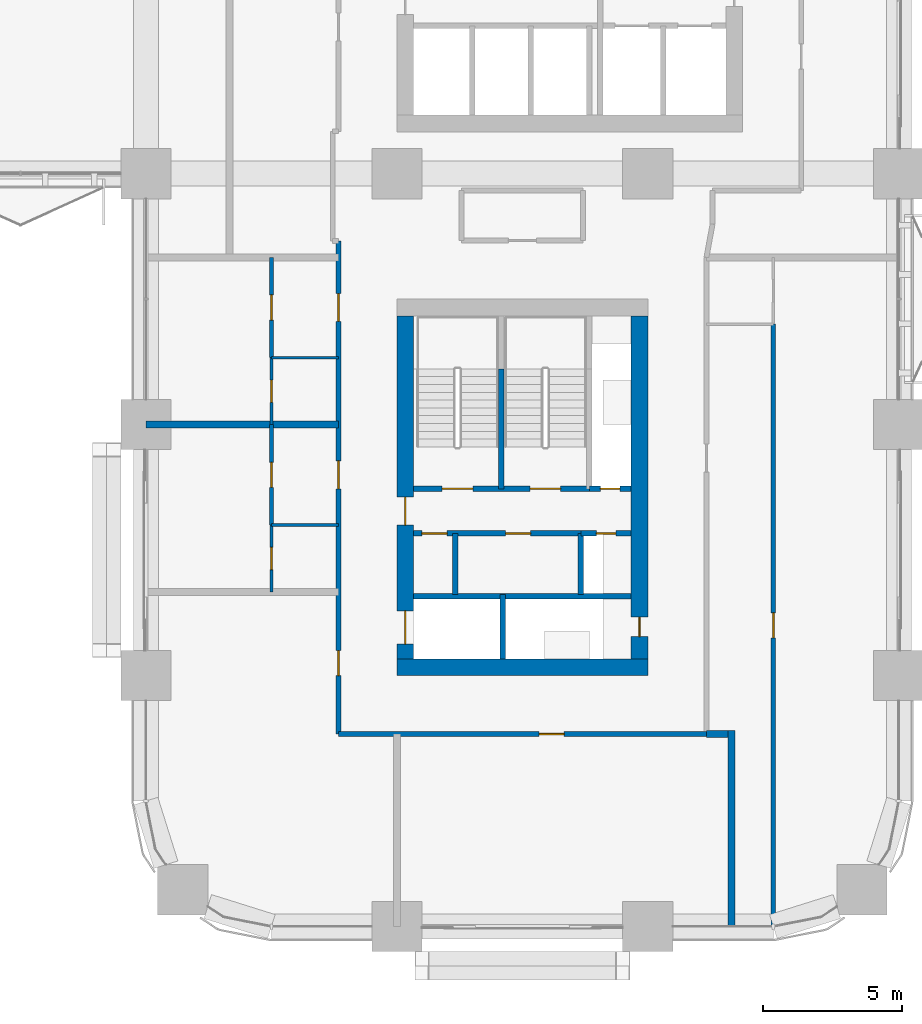
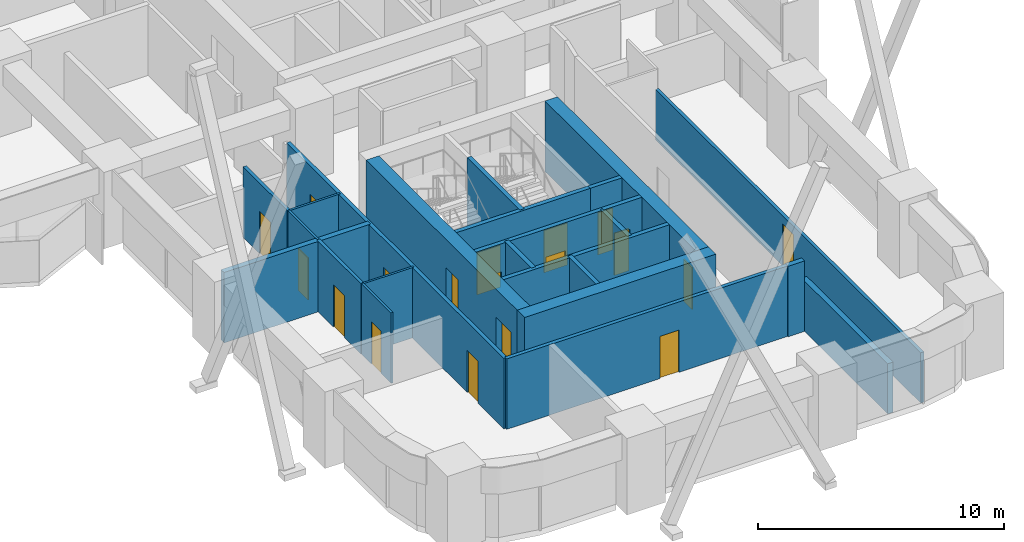
# One storey, part 13 of 19: 24 walls, 18 doors, 18 openings.
"""IFC4 building model written with IfcOpenShell, lengths in metres."""

from ifc_helpers import new_model, si_unit, direction, frame, frame_2d, origin, place, context, subcontext, project, spatial, rectangle, extrude, material, layer, layer_set, type_object, element, fill, save


model = new_model("IFC4")

# Units and contexts
model_context = context("Model", 3, precision=1e-05, world=origin(), true_north=direction((0.0, 1.0)))
body_context = subcontext(model_context, "Body", "Model", "MODEL_VIEW")
ifc_project = project(units=[si_unit("LENGTHUNIT", "METRE"), si_unit("AREAUNIT", "SQUARE_METRE"), si_unit("VOLUMEUNIT", "CUBIC_METRE"), si_unit("PLANEANGLEUNIT", "RADIAN"), si_unit("MASSUNIT", "GRAM", prefix="KILO")], contexts=[model_context])

# Site, building, storey
site_placement = place(None, origin())
site = spatial("IfcSite", under=ifc_project, at=site_placement, CompositionType="ELEMENT")
building_placement = place(site_placement, origin())
building = spatial("IfcBuilding", under=site, at=building_placement, Name="Tessera Arch", CompositionType="ELEMENT")
storey_placement = place(building_placement, frame((0.0, 0.0, 93.0)))
storey = spatial("IfcBuildingStorey", under=building, at=storey_placement, Name="L21", CompositionType="ELEMENT", Elevation=93.0)

# Wall
ifc_material_1 = material(Name="Gypsum board on steel stud", Category="steel")
ifc_layer_1 = layer(ifc_material_1, 0.125)
ifc_layer_set_1 = layer_set([ifc_layer_1], Name="Core partition 125 EI 60")
wall_type_1 = type_object("IfcWallType", Name="Core partition 125 EI 60", PredefinedType="PARTITIONING", material=ifc_layer_set_1)
wall_1_placement = place(storey_placement, frame((38.10009765625, 11.89990234375, 0.0), z_axis=(0.0, 0.0, 1.0), x_axis=(0.0, 1.0, 0.0)))
element("IfcWall", 1, at=wall_1_placement, inside=storey, type_object=wall_type_1, Name="L21 C3 partition wall 1", PredefinedType="PARTITIONING", context=body_context, shape_type="SweptSolid", body=[
    extrude(rectangle(XDim=2.2001953125, YDim=0.199951171875, at=frame_2d((1.10009765625, 0.0))), origin(), (0.0, 0.0, 1.0), 3.5),
])

# Wall, openings, doors
wall_2_placement = place(storey_placement, frame((36.60009765625, 14.10009765625, 0.0), z_axis=(0.0, 0.0, 1.0), x_axis=(1.0, 0.0, 0.0)))
wall_2 = element("IfcWall", 2, at=wall_2_placement, inside=storey, type_object=wall_type_1, Name="L21 C3 partition wall 9", PredefinedType="PARTITIONING", context=body_context, shape_type="SweptSolid", body=[
    extrude(rectangle(XDim=6.0, YDim=0.199951171875, at=frame_2d((3.0, 0.0))), origin(), (0.0, 0.0, 1.0), 3.5),
])
opening_1_placement = place(wall_2_placement, frame((0.300048828125, 0.0, 0.0)))
opening_1 = element("IfcOpeningElement", 3, at=opening_1_placement, cuts=wall_2, Name="Opening L21-C38", PredefinedType="OPENING", context=body_context, shape_type="SweptSolid", body=[
    extrude(rectangle(XDim=0.89990234375, YDim=2.10009765625, at=frame_2d((0.449951171875, 1.050048828125))), frame((0.0, 0.10986328125, 0.0), z_axis=(0.0, -1.0, 0.0), x_axis=(1.0, 0.0, 0.0)), (0.0, 0.0, 1.0), 0.219970703125),
])
opening_2_placement = place(wall_2_placement, frame((3.300048828125, 0.0, 0.0)))
opening_2 = element("IfcOpeningElement", 4, at=opening_2_placement, cuts=wall_2, Name="Opening L21-C39", PredefinedType="OPENING", context=body_context, shape_type="SweptSolid", body=[
    extrude(rectangle(XDim=0.89990234375, YDim=2.10009765625, at=frame_2d((0.449951171875, 1.050048828125))), frame((0.0, 0.10986328125, 0.0), z_axis=(0.0, -1.0, 0.0), x_axis=(1.0, 0.0, 0.0)), (0.0, 0.0, 1.0), 0.219970703125),
])
ifc_material_2 = material(Name="Steel door leaf", Category="steel")
door_type_1 = type_object("IfcDoorType", Name="Store door FD30S 900 x 2100", OperationType="SINGLE_SWING_LEFT", PredefinedType="DOOR", material=ifc_material_2)
door_1_placement = place(opening_1_placement, origin())
door_1 = element("IfcDoor", 5, at=door_1_placement, inside=storey, type_object=door_type_1, Name="L21 C3 door 8 C38 type D09", OperationType="SINGLE_SWING_LEFT", OverallHeight=2.10009765625, OverallWidth=0.89990234375, PredefinedType="DOOR", context=body_context, shape_type="SweptSolid", body=[
    extrude(rectangle(XDim=0.89990234375, YDim=2.10009765625, at=frame_2d((0.449951171875, 1.050048828125))), frame((0.0, 0.02490234375, 0.0), z_axis=(0.0, -1.0, 0.0), x_axis=(1.0, 0.0, 0.0)), (0.0, 0.0, 1.0), 0.050048828125),
])
fill(opening_1, door_1)
door_2_placement = place(opening_2_placement, origin())
door_2 = element("IfcDoor", 6, at=door_2_placement, inside=storey, type_object=door_type_1, Name="L21 C3 door 9 C39 type D09", OperationType="SINGLE_SWING_RIGHT", OverallHeight=2.10009765625, OverallWidth=0.89990234375, PredefinedType="DOOR", context=body_context, shape_type="SweptSolid", body=[
    extrude(rectangle(XDim=0.89990234375, YDim=2.10009765625, at=frame_2d((0.449951171875, 1.050048828125))), frame((0.0, 0.02490234375, 0.0), z_axis=(0.0, -1.0, 0.0), x_axis=(1.0, 0.0, 0.0)), (0.0, 0.0, 1.0), 0.050048828125),
])
fill(opening_2, door_2)

# Wall
ifc_material_3 = material(Name="Concrete C70/85", Category="concrete")
ifc_layer_2 = layer(ifc_material_3, 0.60009765625)
ifc_layer_set_2 = layer_set([ifc_layer_2], Name="Core shell wall 600 C70-85")
wall_type_2 = type_object("IfcWallType", Name="Core shell wall 600 C70-85", PredefinedType="SHEAR", material=ifc_layer_set_2)
wall_3_placement = place(storey_placement, frame((36.0, 9.300048828125, 0.0), z_axis=(0.0, 0.0, 1.0), x_axis=(1.0, 0.0, 0.0)))
element("IfcWall", 7, at=wall_3_placement, inside=storey, type_object=wall_type_2, Name="L21 C3 core wall S", PredefinedType="SHEAR", context=body_context, shape_type="SweptSolid", body=[
    extrude(rectangle(XDim=9.0, YDim=0.60009765625, at=frame_2d((4.5, 0.0))), origin(), (0.0, 0.0, 1.0), 3.5),
])

# Wall, openings, doors
wall_4_placement = place(storey_placement, frame((36.300048828125, 9.60009765625, 0.0), z_axis=(0.0, 0.0, 1.0), x_axis=(0.0, 1.0, 0.0)))
wall_4 = element("IfcWall", 8, at=wall_4_placement, inside=storey, type_object=wall_type_2, Name="L21 C3 core wall W", PredefinedType="SHEAR", context=body_context, shape_type="SweptSolid", body=[
    extrude(rectangle(XDim=12.2998046875, YDim=0.60009765625, at=frame_2d((6.14990234375, 0.0))), origin(), (0.0, 0.0, 1.0), 3.5),
])
opening_3_placement = place(wall_4_placement, frame((0.52490234375, 0.0, 0.0)))
opening_3 = element("IfcOpeningElement", 9, at=opening_3_placement, cuts=wall_4, Name="Opening L21-C31", PredefinedType="OPENING", context=body_context, shape_type="SweptSolid", body=[
    extrude(rectangle(XDim=1.199951171875, YDim=2.10009765625, at=frame_2d((0.60009765625, 1.050048828125))), frame((0.0, 0.31005859375, 0.0), z_axis=(0.0, -1.0, 0.0), x_axis=(1.0, 0.0, 0.0)), (0.0, 0.0, 1.0), 0.6201171875),
])
opening_4_placement = place(wall_4_placement, frame((4.800048828125, 0.0, 0.0)))
opening_4 = element("IfcOpeningElement", 10, at=opening_4_placement, cuts=wall_4, Name="Opening L21-C37", PredefinedType="OPENING", context=body_context, shape_type="SweptSolid", body=[
    extrude(rectangle(XDim=1.0, YDim=2.10009765625, at=frame_2d((0.5, 1.050048828125))), frame((0.0, 0.31005859375, 0.0), z_axis=(0.0, -1.0, 0.0), x_axis=(1.0, 0.0, 0.0)), (0.0, 0.0, 1.0), 0.6201171875),
])
ifc_material_4 = material(Name="Steel door leaf", Category="steel")
door_type_2 = type_object("IfcDoorType", Name="Corridor door FD60 1000 x 2100", OperationType="SINGLE_SWING_LEFT", PredefinedType="DOOR", material=ifc_material_4)
door_3_placement = place(opening_4_placement, origin())
door_3 = element("IfcDoor", 11, at=door_3_placement, inside=storey, type_object=door_type_2, Name="L21 C3 door 7 C37 type D12", OperationType="SINGLE_SWING_LEFT", OverallHeight=2.10009765625, OverallWidth=1.0, PredefinedType="DOOR", context=body_context, shape_type="SweptSolid", body=[
    extrude(rectangle(XDim=1.0, YDim=2.10009765625, at=frame_2d((0.5, 1.050048828125))), frame((0.0, 0.02490234375, 0.0), z_axis=(0.0, -1.0, 0.0), x_axis=(1.0, 0.0, 0.0)), (0.0, 0.0, 1.0), 0.050048828125),
])
fill(opening_4, door_3)
ifc_material_5 = material(Name="Stainless steel AISI 304", Category="steel")
door_type_3 = type_object("IfcDoorType", Name="Sliding landing door 1200 x 2100", OperationType="SLIDING_TO_LEFT", PredefinedType="DOOR", material=ifc_material_5)
door_4_placement = place(opening_3_placement, origin())
door_4 = element("IfcDoor", 12, at=door_4_placement, inside=storey, type_object=door_type_3, Name="L21 SV1 lift landing door C31 type LD", OperationType="SLIDING_TO_LEFT", OverallHeight=2.10009765625, OverallWidth=1.199951171875, PredefinedType="DOOR", context=body_context, shape_type="SweptSolid", body=[
    extrude(rectangle(XDim=1.199951171875, YDim=2.10009765625, at=frame_2d((0.60009765625, 1.050048828125))), frame((0.0, 0.02490234375, 0.0), z_axis=(0.0, -1.0, 0.0), x_axis=(1.0, 0.0, 0.0)), (0.0, 0.0, 1.0), 0.050048828125),
])
fill(opening_3, door_4)

# Wall, opening, door
wall_5_placement = place(storey_placement, frame((44.699951171875, 9.60009765625, 0.0), z_axis=(0.0, 0.0, 1.0), x_axis=(0.0, 1.0, 0.0)))
wall_5 = element("IfcWall", 13, at=wall_5_placement, inside=storey, type_object=wall_type_2, Name="L21 C3 core wall E", PredefinedType="SHEAR", context=body_context, shape_type="SweptSolid", body=[
    extrude(rectangle(XDim=12.2998046875, YDim=0.60009765625, at=frame_2d((6.14990234375, 0.0))), origin(), (0.0, 0.0, 1.0), 3.5),
])
opening_5_placement = place(wall_5_placement, frame((0.800048828125, 0.0, 0.0)))
opening_5 = element("IfcOpeningElement", 14, at=opening_5_placement, cuts=wall_5, Name="Opening L21-C36", PredefinedType="OPENING", context=body_context, shape_type="SweptSolid", body=[
    extrude(rectangle(XDim=0.699951171875, YDim=2.10009765625, at=frame_2d((0.35009765625, 1.050048828125))), frame((0.0, 0.31005859375, 0.0), z_axis=(0.0, -1.0, 0.0), x_axis=(1.0, 0.0, 0.0)), (0.0, 0.0, 1.0), 0.6201171875),
])
ifc_material_6 = material(Name="Steel door leaf", Category="steel")
door_type_4 = type_object("IfcDoorType", Name="Service shaft door FD60 700 x 2100", OperationType="SINGLE_SWING_LEFT", PredefinedType="DOOR", material=ifc_material_6)
door_5_placement = place(opening_5_placement, origin())
door_5 = element("IfcDoor", 15, at=door_5_placement, inside=storey, type_object=door_type_4, Name="L21 C3 door 6 C36 type D07", OperationType="SINGLE_SWING_LEFT", OverallHeight=2.10009765625, OverallWidth=0.699951171875, PredefinedType="DOOR", context=body_context, shape_type="SweptSolid", body=[
    extrude(rectangle(XDim=0.699951171875, YDim=2.10009765625, at=frame_2d((0.35009765625, 1.050048828125))), frame((0.0, 0.02490234375, 0.0), z_axis=(0.0, -1.0, 0.0), x_axis=(1.0, 0.0, 0.0)), (0.0, 0.0, 1.0), 0.050048828125),
])
fill(opening_5, door_5)

ifc_material_7 = material(Name="Gypsum board on deep steel stud with mineral wool", Category="steel")
ifc_layer_3 = layer(ifc_material_7, 0.175048828125)
ifc_layer_set_3 = layer_set([ifc_layer_3], Name="Corridor wall 175 EI 60")
wall_type_3 = type_object("IfcWallType", Name="Corridor wall 175 EI 60", PredefinedType="PARTITIONING", material=ifc_layer_set_3)
wall_6_placement = place(storey_placement, frame((33.89990234375, 6.89990234375, 0.0), z_axis=(0.0, 0.0, 1.0), x_axis=(1.0, 0.0, 0.0)))
wall_6 = element("IfcWall", 16, at=wall_6_placement, inside=storey, type_object=wall_type_3, Name="L21 partition 1", PredefinedType="PARTITIONING", context=body_context, shape_type="SweptSolid", body=[
    extrude(rectangle(XDim=13.2001953125, YDim=0.175048828125, at=frame_2d((6.60009765625, 0.0))), origin(), (0.0, 0.0, 1.0), 3.5),
])
opening_6_placement = place(wall_6_placement, frame((7.199951171875, 0.0, 0.0)))
opening_6 = element("IfcOpeningElement", 17, at=opening_6_placement, cuts=wall_6, Name="Opening L21-D001", PredefinedType="OPENING", context=body_context, shape_type="SweptSolid", body=[
    extrude(rectangle(XDim=0.89990234375, YDim=2.10009765625, at=frame_2d((0.449951171875, 1.050048828125))), frame((0.0, 0.097412109375, 0.0), z_axis=(0.0, -1.0, 0.0), x_axis=(1.0, 0.0, 0.0)), (0.0, 0.0, 1.0), 0.195068359375),
])
ifc_material_8 = material(Name="Timber door leaf", Category="wood")
door_type_5 = type_object("IfcDoorType", Name="Room door 900 x 2100", OperationType="SINGLE_SWING_LEFT", PredefinedType="DOOR", material=ifc_material_8)
door_6_placement = place(opening_6_placement, origin())
door_6 = element("IfcDoor", 18, at=door_6_placement, inside=storey, type_object=door_type_5, Name="L21 door D001 type D01", OperationType="SINGLE_SWING_RIGHT", OverallHeight=2.10009765625, OverallWidth=0.89990234375, PredefinedType="DOOR", context=body_context, shape_type="SweptSolid", body=[
    extrude(rectangle(XDim=0.89990234375, YDim=2.10009765625, at=frame_2d((0.449951171875, 1.050048828125))), frame((0.0, 0.02490234375, 0.0), z_axis=(0.0, -1.0, 0.0), x_axis=(1.0, 0.0, 0.0)), (0.0, 0.0, 1.0), 0.050048828125),
])
fill(opening_6, door_6)

# Wall, openings, doors
wall_7_placement = place(storey_placement, frame((33.89990234375, 6.89990234375, 0.0), z_axis=(0.0, 0.0, 1.0), x_axis=(0.0, 1.0, 0.0)))
wall_7 = element("IfcWall", 19, at=wall_7_placement, inside=storey, type_object=wall_type_3, Name="L21 partition 14", PredefinedType="PARTITIONING", context=body_context, shape_type="SweptSolid", body=[
    extrude(rectangle(XDim=17.690185546875, YDim=0.175048828125, at=frame_2d((8.84521484375, 0.0))), origin(), (0.0, 0.0, 1.0), 3.5),
])
opening_7_placement = place(wall_7_placement, frame((2.10009765625, 0.0, 0.0)))
opening_7 = element("IfcOpeningElement", 20, at=opening_7_placement, cuts=wall_7, Name="Opening L21-D002", PredefinedType="OPENING", context=body_context, shape_type="SweptSolid", body=[
    extrude(rectangle(XDim=0.89990234375, YDim=2.10009765625, at=frame_2d((0.449951171875, 1.050048828125))), frame((0.0, 0.097412109375, 0.0), z_axis=(0.0, -1.0, 0.0), x_axis=(1.0, 0.0, 0.0)), (0.0, 0.0, 1.0), 0.195068359375),
])
opening_8_placement = place(wall_7_placement, frame((8.800048828125, 0.0, 0.0)))
opening_8 = element("IfcOpeningElement", 21, at=opening_8_placement, cuts=wall_7, Name="Opening L21-D006", PredefinedType="OPENING", context=body_context, shape_type="SweptSolid", body=[
    extrude(rectangle(XDim=1.0, YDim=2.10009765625, at=frame_2d((0.5, 1.050048828125))), frame((0.0, 0.097412109375, 0.0), z_axis=(0.0, -1.0, 0.0), x_axis=(1.0, 0.0, 0.0)), (0.0, 0.0, 1.0), 0.195068359375),
])
opening_9_placement = place(wall_7_placement, frame((14.800048828125, 0.0, 0.0)))
opening_9 = element("IfcOpeningElement", 22, at=opening_9_placement, cuts=wall_7, Name="Opening L21-D009", PredefinedType="OPENING", context=body_context, shape_type="SweptSolid", body=[
    extrude(rectangle(XDim=1.0, YDim=2.10009765625, at=frame_2d((0.5, 1.050048828125))), frame((0.0, 0.097412109375, 0.0), z_axis=(0.0, -1.0, 0.0), x_axis=(1.0, 0.0, 0.0)), (0.0, 0.0, 1.0), 0.195068359375),
])
ifc_material_9 = material(Name="Fire-rated door leaf")
door_type_6 = type_object("IfcDoorType", Name="Entrance door FD30S 1000 x 2100", OperationType="SINGLE_SWING_LEFT", PredefinedType="DOOR", material=ifc_material_9)
door_7_placement = place(opening_8_placement, origin())
door_7 = element("IfcDoor", 23, at=door_7_placement, inside=storey, type_object=door_type_6, Name="L21 door D006 type D03", OperationType="SINGLE_SWING_RIGHT", OverallHeight=2.10009765625, OverallWidth=1.0, PredefinedType="DOOR", context=body_context, shape_type="SweptSolid", body=[
    extrude(rectangle(XDim=1.0, YDim=2.10009765625, at=frame_2d((0.5, 1.050048828125))), frame((0.0, 0.02490234375, 0.0), z_axis=(0.0, -1.0, 0.0), x_axis=(1.0, 0.0, 0.0)), (0.0, 0.0, 1.0), 0.050048828125),
])
fill(opening_8, door_7)
door_8_placement = place(opening_9_placement, origin())
door_8 = element("IfcDoor", 24, at=door_8_placement, inside=storey, type_object=door_type_6, Name="L21 door D009 type D03", OperationType="SINGLE_SWING_LEFT", OverallHeight=2.10009765625, OverallWidth=1.0, PredefinedType="DOOR", context=body_context, shape_type="SweptSolid", body=[
    extrude(rectangle(XDim=1.0, YDim=2.10009765625, at=frame_2d((0.5, 1.050048828125))), frame((0.0, 0.02490234375, 0.0), z_axis=(0.0, -1.0, 0.0), x_axis=(1.0, 0.0, 0.0)), (0.0, 0.0, 1.0), 0.050048828125),
])
fill(opening_9, door_8)
door_9_placement = place(opening_7_placement, origin())
door_9 = element("IfcDoor", 25, at=door_9_placement, inside=storey, type_object=door_type_5, Name="L21 door D002 type D01", OperationType="SINGLE_SWING_RIGHT", OverallHeight=2.10009765625, OverallWidth=0.89990234375, PredefinedType="DOOR", context=body_context, shape_type="SweptSolid", body=[
    extrude(rectangle(XDim=0.89990234375, YDim=2.10009765625, at=frame_2d((0.449951171875, 1.050048828125))), frame((0.0, 0.02490234375, 0.0), z_axis=(0.0, -1.0, 0.0), x_axis=(1.0, 0.0, 0.0)), (0.0, 0.0, 1.0), 0.050048828125),
])
fill(opening_7, door_9)

# Wall, opening, door
ifc_material_10 = material(Name="Gypsum board on steel stud", Category="steel")
ifc_layer_4 = layer(ifc_material_10, 0.14990234375)
ifc_layer_set_4 = layer_set([ifc_layer_4], Name="Partition 150")
wall_type_4 = type_object("IfcWallType", Name="Partition 150", PredefinedType="PARTITIONING", material=ifc_layer_set_4)
wall_8_placement = place(storey_placement, frame((31.5, 14.39990234375, 0.0), z_axis=(0.0, 0.0, 1.0), x_axis=(0.0, 1.0, 0.0)))
wall_8 = element("IfcWall", 26, at=wall_8_placement, inside=storey, type_object=wall_type_4, Name="L21 partition 21", PredefinedType="PARTITIONING", context=body_context, shape_type="SweptSolid", body=[
    extrude(rectangle(XDim=3.60009765625, YDim=0.14990234375, at=frame_2d((1.800048828125, 0.0))), origin(), (0.0, 0.0, 1.0), 3.5),
])
opening_10_placement = place(wall_8_placement, frame((1.35009765625, 0.0, 0.0)))
opening_10 = element("IfcOpeningElement", 27, at=opening_10_placement, cuts=wall_8, Name="Opening L21-D007", PredefinedType="OPENING", context=body_context, shape_type="SweptSolid", body=[
    extrude(rectangle(XDim=0.89990234375, YDim=2.10009765625, at=frame_2d((0.449951171875, 1.050048828125))), frame((0.0, 0.0849609375, 0.0), z_axis=(0.0, -1.0, 0.0), x_axis=(1.0, 0.0, 0.0)), (0.0, 0.0, 1.0), 0.169921875),
])
door_10_placement = place(opening_10_placement, origin())
door_10 = element("IfcDoor", 28, at=door_10_placement, inside=storey, type_object=door_type_5, Name="L21 door D007 type D01", OperationType="SINGLE_SWING_LEFT", OverallHeight=2.10009765625, OverallWidth=0.89990234375, PredefinedType="DOOR", context=body_context, shape_type="SweptSolid", body=[
    extrude(rectangle(XDim=0.89990234375, YDim=2.10009765625, at=frame_2d((0.449951171875, 1.050048828125))), frame((0.0, 0.02490234375, 0.0), z_axis=(0.0, -1.0, 0.0), x_axis=(1.0, 0.0, 0.0)), (0.0, 0.0, 1.0), 0.050048828125),
])
fill(opening_10, door_10)

wall_9_placement = place(storey_placement, frame((31.5, 20.39990234375, 0.0), z_axis=(0.0, 0.0, 1.0), x_axis=(0.0, 1.0, 0.0)))
wall_9 = element("IfcWall", 29, at=wall_9_placement, inside=storey, type_object=wall_type_4, Name="L21 partition 22", PredefinedType="PARTITIONING", context=body_context, shape_type="SweptSolid", body=[
    extrude(rectangle(XDim=3.60009765625, YDim=0.14990234375, at=frame_2d((1.800048828125, 0.0))), origin(), (0.0, 0.0, 1.0), 3.5),
])
opening_11_placement = place(wall_9_placement, frame((1.35009765625, 0.0, 0.0)))
opening_11 = element("IfcOpeningElement", 30, at=opening_11_placement, cuts=wall_9, Name="Opening L21-D010", PredefinedType="OPENING", context=body_context, shape_type="SweptSolid", body=[
    extrude(rectangle(XDim=0.89990234375, YDim=2.10009765625, at=frame_2d((0.449951171875, 1.050048828125))), frame((0.0, 0.0849609375, 0.0), z_axis=(0.0, -1.0, 0.0), x_axis=(1.0, 0.0, 0.0)), (0.0, 0.0, 1.0), 0.169921875),
])
door_11_placement = place(opening_11_placement, origin())
door_11 = element("IfcDoor", 31, at=door_11_placement, inside=storey, type_object=door_type_5, Name="L21 door D010 type D01", OperationType="SINGLE_SWING_RIGHT", OverallHeight=2.10009765625, OverallWidth=0.89990234375, PredefinedType="DOOR", context=body_context, shape_type="SweptSolid", body=[
    extrude(rectangle(XDim=0.89990234375, YDim=2.10009765625, at=frame_2d((0.449951171875, 1.050048828125))), frame((0.0, 0.02490234375, 0.0), z_axis=(0.0, -1.0, 0.0), x_axis=(1.0, 0.0, 0.0)), (0.0, 0.0, 1.0), 0.050048828125),
])
fill(opening_11, door_11)

wall_10_placement = place(storey_placement, frame((49.5, 0.0, 0.0), z_axis=(0.0, 0.0, 1.0), x_axis=(0.0, 1.0, 0.0)))
wall_10 = element("IfcWall", 32, at=wall_10_placement, inside=storey, type_object=wall_type_4, Name="L21 partition 23", PredefinedType="PARTITIONING", context=body_context, shape_type="SweptSolid", body=[
    extrude(rectangle(XDim=21.60009765625, YDim=0.14990234375, at=frame_2d((10.800048828125, 0.0))), origin(), (0.0, 0.0, 1.0), 2.5),
])
opening_12_placement = place(wall_10_placement, frame((10.35009765625, 0.0, 0.0)))
opening_12 = element("IfcOpeningElement", 33, at=opening_12_placement, cuts=wall_10, Name="Opening L21-D004", PredefinedType="OPENING", context=body_context, shape_type="SweptSolid", body=[
    extrude(rectangle(XDim=0.89990234375, YDim=2.10009765625, at=frame_2d((0.449951171875, 1.050048828125))), frame((0.0, 0.0849609375, 0.0), z_axis=(0.0, -1.0, 0.0), x_axis=(1.0, 0.0, 0.0)), (0.0, 0.0, 1.0), 0.169921875),
])
door_12_placement = place(opening_12_placement, origin())
door_12 = element("IfcDoor", 34, at=door_12_placement, inside=storey, type_object=door_type_5, Name="L21 door D004 type D01", OperationType="SINGLE_SWING_LEFT", OverallHeight=2.10009765625, OverallWidth=0.89990234375, PredefinedType="DOOR", context=body_context, shape_type="SweptSolid", body=[
    extrude(rectangle(XDim=0.89990234375, YDim=2.10009765625, at=frame_2d((0.449951171875, 1.050048828125))), frame((0.0, 0.02490234375, 0.0), z_axis=(0.0, -1.0, 0.0), x_axis=(1.0, 0.0, 0.0)), (0.0, 0.0, 1.0), 0.050048828125),
])
fill(opening_12, door_12)

# Walls
ifc_material_11 = material(Name="Double gypsum board on twin steel stud with acoustic mineral wool", Category="steel")
ifc_layer_5 = layer(ifc_material_11, 0.25)
ifc_layer_set_5 = layer_set([ifc_layer_5], Name="Party wall 250 EI 60")
wall_type_5 = type_object("IfcWallType", Name="Party wall 250 EI 60", PredefinedType="PARTITIONING", material=ifc_layer_set_5)
wall_11_placement = place(storey_placement, frame((47.10009765625, 6.89990234375, 0.0), z_axis=(0.0, 0.0, 1.0), x_axis=(1.0, 0.0, 0.0)))
element("IfcWall", 35, at=wall_11_placement, inside=storey, type_object=wall_type_5, Name="L21 partition 24", PredefinedType="PARTITIONING", context=body_context, shape_type="SweptSolid", body=[
    extrude(rectangle(XDim=0.77490234375, YDim=0.25, at=frame_2d((0.387451171875, 0.0))), origin(), (0.0, 0.0, 1.0), 3.5),
])
wall_12_placement = place(storey_placement, frame((27.0, 18.0, 0.0), z_axis=(0.0, 0.0, 1.0), x_axis=(1.0, 0.0, 0.0)))
element("IfcWall", 36, at=wall_12_placement, inside=storey, type_object=wall_type_5, Name="L21 partition 26", PredefinedType="PARTITIONING", context=body_context, shape_type="SweptSolid", body=[
    extrude(rectangle(XDim=6.89990234375, YDim=0.25, at=frame_2d((3.449951171875, 0.0))), origin(), (0.0, 0.0, 1.0), 3.5),
])
wall_13_placement = place(storey_placement, frame((48.0, 0.0, 0.0), z_axis=(0.0, 0.0, 1.0), x_axis=(0.0, 1.0, 0.0)))
element("IfcWall", 37, at=wall_13_placement, inside=storey, type_object=wall_type_5, Name="L21 partition 40", PredefinedType="PARTITIONING", context=body_context, shape_type="SweptSolid", body=[
    extrude(rectangle(XDim=7.02490234375, YDim=0.25, at=frame_2d((3.512451171875, 0.0))), origin(), (0.0, 0.0, 1.0), 2.5),
])
ifc_material_12 = material(Name="Concrete C40/50", Category="concrete")
ifc_layer_6 = layer(ifc_material_12, 0.199951171875)
ifc_layer_set_6 = layer_set([ifc_layer_6], Name="Shaft wall 200 EI 120")
wall_type_6 = type_object("IfcWallType", Name="Shaft wall 200 EI 120", PredefinedType="SOLIDWALL", material=ifc_layer_set_6)
wall_14_placement = place(storey_placement, frame((39.800048828125, 9.60009765625, 0.0), z_axis=(0.0, 0.0, 1.0), x_axis=(0.0, 1.0, 0.0)))
element("IfcWall", 38, at=wall_14_placement, inside=storey, type_object=wall_type_6, Name="L21 C3 shaft wall 4", PredefinedType="SOLIDWALL", context=body_context, shape_type="SweptSolid", body=[
    extrude(rectangle(XDim=2.2998046875, YDim=0.199951171875, at=frame_2d((1.14990234375, 0.0))), origin(), (0.0, 0.0, 1.0), 3.5),
])
wall_15_placement = place(storey_placement, frame((42.60009765625, 11.89990234375, 0.0), z_axis=(0.0, 0.0, 1.0), x_axis=(0.0, 1.0, 0.0)))
element("IfcWall", 39, at=wall_15_placement, inside=storey, type_object=wall_type_6, Name="L21 C3 shaft wall 5", PredefinedType="SOLIDWALL", context=body_context, shape_type="SweptSolid", body=[
    extrude(rectangle(XDim=2.2001953125, YDim=0.199951171875, at=frame_2d((1.10009765625, 0.0))), origin(), (0.0, 0.0, 1.0), 3.5),
])
wall_16_placement = place(storey_placement, frame((36.60009765625, 11.85009765625, 0.0), z_axis=(0.0, 0.0, 1.0), x_axis=(1.0, 0.0, 0.0)))
element("IfcWall", 40, at=wall_16_placement, inside=storey, type_object=wall_type_6, Name="L21 C3 shaft wall 8", PredefinedType="SOLIDWALL", context=body_context, shape_type="SweptSolid", body=[
    extrude(rectangle(XDim=7.7998046875, YDim=0.199951171875, at=frame_2d((3.89990234375, 0.0))), origin(), (0.0, 0.0, 1.0), 3.5),
])

# Wall, opening, door
wall_17_placement = place(storey_placement, frame((42.60009765625, 14.10009765625, 0.0), z_axis=(0.0, 0.0, 1.0), x_axis=(1.0, 0.0, 0.0)))
wall_17 = element("IfcWall", 41, at=wall_17_placement, inside=storey, type_object=wall_type_6, Name="L21 C3 shaft wall 10", PredefinedType="SOLIDWALL", context=body_context, shape_type="SweptSolid", body=[
    extrude(rectangle(XDim=1.7998046875, YDim=0.199951171875, at=frame_2d((0.89990234375, 0.0))), origin(), (0.0, 0.0, 1.0), 3.5),
])
opening_13_placement = place(wall_17_placement, frame((0.550048828125, 0.0, 0.0)))
opening_13 = element("IfcOpeningElement", 42, at=opening_13_placement, cuts=wall_17, Name="Opening L21-C35", PredefinedType="OPENING", context=body_context, shape_type="SweptSolid", body=[
    extrude(rectangle(XDim=0.699951171875, YDim=2.10009765625, at=frame_2d((0.35009765625, 1.050048828125))), frame((0.0, 0.10986328125, 0.0), z_axis=(0.0, -1.0, 0.0), x_axis=(1.0, 0.0, 0.0)), (0.0, 0.0, 1.0), 0.219970703125),
])
door_13_placement = place(opening_13_placement, origin())
door_13 = element("IfcDoor", 43, at=door_13_placement, inside=storey, type_object=door_type_4, Name="L21 C3 door 5 C35 type D07", OperationType="SINGLE_SWING_RIGHT", OverallHeight=2.10009765625, OverallWidth=0.699951171875, PredefinedType="DOOR", context=body_context, shape_type="SweptSolid", body=[
    extrude(rectangle(XDim=0.699951171875, YDim=2.10009765625, at=frame_2d((0.35009765625, 1.050048828125))), frame((0.0, 0.02490234375, 0.0), z_axis=(0.0, -1.0, 0.0), x_axis=(1.0, 0.0, 0.0)), (0.0, 0.0, 1.0), 0.050048828125),
])
fill(opening_13, door_13)

wall_18_placement = place(storey_placement, frame((42.89990234375, 15.699951171875, 0.0), z_axis=(0.0, 0.0, 1.0), x_axis=(1.0, 0.0, 0.0)))
wall_18 = element("IfcWall", 44, at=wall_18_placement, inside=storey, type_object=wall_type_6, Name="L21 C3 shaft wall 11", PredefinedType="SOLIDWALL", context=body_context, shape_type="SweptSolid", body=[
    extrude(rectangle(XDim=1.5, YDim=0.199951171875, at=frame_2d((0.75, 0.0))), origin(), (0.0, 0.0, 1.0), 3.5),
])
opening_14_placement = place(wall_18_placement, frame((0.39990234375, 0.0, 0.0)))
opening_14 = element("IfcOpeningElement", 45, at=opening_14_placement, cuts=wall_18, Name="Opening L21-C34", PredefinedType="OPENING", context=body_context, shape_type="SweptSolid", body=[
    extrude(rectangle(XDim=0.699951171875, YDim=2.10009765625, at=frame_2d((0.35009765625, 1.050048828125))), frame((0.0, 0.10986328125, 0.0), z_axis=(0.0, -1.0, 0.0), x_axis=(1.0, 0.0, 0.0)), (0.0, 0.0, 1.0), 0.219970703125),
])
door_14_placement = place(opening_14_placement, origin())
door_14 = element("IfcDoor", 46, at=door_14_placement, inside=storey, type_object=door_type_4, Name="L21 C3 door 4 C34 type D07", OperationType="SINGLE_SWING_LEFT", OverallHeight=2.10009765625, OverallWidth=0.699951171875, PredefinedType="DOOR", context=body_context, shape_type="SweptSolid", body=[
    extrude(rectangle(XDim=0.699951171875, YDim=2.10009765625, at=frame_2d((0.35009765625, 1.050048828125))), frame((0.0, 0.02490234375, 0.0), z_axis=(0.0, -1.0, 0.0), x_axis=(1.0, 0.0, 0.0)), (0.0, 0.0, 1.0), 0.050048828125),
])
fill(opening_14, door_14)

# Wall
ifc_material_13 = material(Name="Concrete C40/50", Category="concrete")
ifc_layer_7 = layer(ifc_material_13, 0.199951171875)
ifc_layer_set_7 = layer_set([ifc_layer_7], Name="Stair well wall 200 REI 180")
wall_type_7 = type_object("IfcWallType", Name="Stair well wall 200 REI 180", PredefinedType="SOLIDWALL", material=ifc_layer_set_7)
wall_19_placement = place(storey_placement, frame((39.75, 15.699951171875, 0.0), z_axis=(0.0, 0.0, 1.0), x_axis=(0.0, 1.0, 0.0)))
element("IfcWall", 47, at=wall_19_placement, inside=storey, type_object=wall_type_7, Name="L21 C3 shaft wall 2", PredefinedType="SOLIDWALL", context=body_context, shape_type="SweptSolid", body=[
    extrude(rectangle(XDim=4.300048828125, YDim=0.199951171875, at=frame_2d((2.14990234375, 0.0))), origin(), (0.0, 0.0, 1.0), 3.5),
])

# Wall, openings, doors
wall_20_placement = place(storey_placement, frame((36.60009765625, 15.699951171875, 0.0), z_axis=(0.0, 0.0, 1.0), x_axis=(1.0, 0.0, 0.0)))
wall_20 = element("IfcWall", 48, at=wall_20_placement, inside=storey, type_object=wall_type_7, Name="L21 C3 shaft wall 12", PredefinedType="SOLIDWALL", context=body_context, shape_type="SweptSolid", body=[
    extrude(rectangle(XDim=6.2998046875, YDim=0.199951171875, at=frame_2d((3.14990234375, 0.0))), origin(), (0.0, 0.0, 1.0), 3.5),
])
opening_15_placement = place(wall_20_placement, frame((1.02490234375, 0.0, 0.0)))
opening_15 = element("IfcOpeningElement", 49, at=opening_15_placement, cuts=wall_20, Name="Opening L21-C32", PredefinedType="OPENING", context=body_context, shape_type="SweptSolid", body=[
    extrude(rectangle(XDim=1.10009765625, YDim=2.10009765625, at=frame_2d((0.550048828125, 1.050048828125))), frame((0.0, 0.10986328125, 0.0), z_axis=(0.0, -1.0, 0.0), x_axis=(1.0, 0.0, 0.0)), (0.0, 0.0, 1.0), 0.219970703125),
])
opening_16_placement = place(wall_20_placement, frame((4.175048828125, 0.0, 0.0)))
opening_16 = element("IfcOpeningElement", 50, at=opening_16_placement, cuts=wall_20, Name="Opening L21-C33", PredefinedType="OPENING", context=body_context, shape_type="SweptSolid", body=[
    extrude(rectangle(XDim=1.10009765625, YDim=2.10009765625, at=frame_2d((0.550048828125, 1.050048828125))), frame((0.0, 0.10986328125, 0.0), z_axis=(0.0, -1.0, 0.0), x_axis=(1.0, 0.0, 0.0)), (0.0, 0.0, 1.0), 0.219970703125),
])
ifc_material_14 = material(Name="Steel door leaf", Category="steel")
door_type_7 = type_object("IfcDoorType", Name="Stair door FD60 1100 x 2100", OperationType="SINGLE_SWING_LEFT", PredefinedType="DOOR", material=ifc_material_14)
door_15_placement = place(opening_15_placement, origin())
door_15 = element("IfcDoor", 51, at=door_15_placement, inside=storey, type_object=door_type_7, Name="L21 C3 door 2 C32 type D05", OperationType="SINGLE_SWING_LEFT", OverallHeight=2.10009765625, OverallWidth=1.10009765625, PredefinedType="DOOR", context=body_context, shape_type="SweptSolid", body=[
    extrude(rectangle(XDim=1.10009765625, YDim=2.10009765625, at=frame_2d((0.550048828125, 1.050048828125))), frame((0.0, 0.02490234375, 0.0), z_axis=(0.0, -1.0, 0.0), x_axis=(1.0, 0.0, 0.0)), (0.0, 0.0, 1.0), 0.050048828125),
])
fill(opening_15, door_15)
door_16_placement = place(opening_16_placement, origin())
door_16 = element("IfcDoor", 52, at=door_16_placement, inside=storey, type_object=door_type_7, Name="L21 C3 door 3 C33 type D05", OperationType="SINGLE_SWING_RIGHT", OverallHeight=2.10009765625, OverallWidth=1.10009765625, PredefinedType="DOOR", context=body_context, shape_type="SweptSolid", body=[
    extrude(rectangle(XDim=1.10009765625, YDim=2.10009765625, at=frame_2d((0.550048828125, 1.050048828125))), frame((0.0, 0.02490234375, 0.0), z_axis=(0.0, -1.0, 0.0), x_axis=(1.0, 0.0, 0.0)), (0.0, 0.0, 1.0), 0.050048828125),
])
fill(opening_16, door_16)

# Walls
ifc_material_15 = material(Name="Moisture-resistant board on pre-plumbed steel stud", Category="steel")
ifc_layer_8 = layer(ifc_material_15, 0.10009765625)
ifc_layer_set_8 = layer_set([ifc_layer_8], Name="Wet wall 100")
wall_type_8 = type_object("IfcWallType", Name="Wet wall 100", PredefinedType="PARTITIONING", material=ifc_layer_set_8)
for number, where, z_axis, x_axis, name in (
    (53, (31.5, 14.39990234375, 0.0), (0.0, 0.0, 1.0), (1.0, 0.0, 0.0), "L21 partition 42"),
    (54, (31.5, 20.39990234375, 0.0), (0.0, 0.0, 1.0), (1.0, 0.0, 0.0), "L21 partition 43"),
):
    element("IfcWall", number, at=place(storey_placement, frame(where, z_axis=z_axis, x_axis=x_axis)), inside=storey, type_object=wall_type_8, Name=name, PredefinedType="PARTITIONING", context=body_context, shape_type="SweptSolid", body=[
        extrude(rectangle(XDim=2.39990234375, YDim=0.10009765625, at=frame_2d((1.199951171875, 0.0))), origin(), (0.0, 0.0, 1.0), 3.5),
    ])

# Wall, opening, door
wall_21_placement = place(storey_placement, frame((31.5, 12.0, 0.0), z_axis=(0.0, 0.0, 1.0), x_axis=(0.0, 1.0, 0.0)))
wall_21 = element("IfcWall", 55, at=wall_21_placement, inside=storey, type_object=wall_type_8, Name="L21 partition 45", PredefinedType="PARTITIONING", context=body_context, shape_type="SweptSolid", body=[
    extrude(rectangle(XDim=2.39990234375, YDim=0.10009765625, at=frame_2d((1.199951171875, 0.0))), origin(), (0.0, 0.0, 1.0), 3.5),
])
opening_17_placement = place(wall_21_placement, frame((0.800048828125, 0.0, 0.0)))
opening_17 = element("IfcOpeningElement", 56, at=opening_17_placement, cuts=wall_21, Name="Opening L21-D008", PredefinedType="OPENING", context=body_context, shape_type="SweptSolid", body=[
    extrude(rectangle(XDim=0.800048828125, YDim=2.10009765625, at=frame_2d((0.39990234375, 1.050048828125))), frame((0.0, 0.06005859375, 0.0), z_axis=(0.0, -1.0, 0.0), x_axis=(1.0, 0.0, 0.0)), (0.0, 0.0, 1.0), 0.1201171875),
])
ifc_material_16 = material(Name="Timber door leaf", Category="wood")
door_type_8 = type_object("IfcDoorType", Name="En-suite door 800 x 2100", OperationType="SINGLE_SWING_LEFT", PredefinedType="DOOR", material=ifc_material_16)
door_17_placement = place(opening_17_placement, origin())
door_17 = element("IfcDoor", 57, at=door_17_placement, inside=storey, type_object=door_type_8, Name="L21 door D008 type D02", OperationType="SINGLE_SWING_RIGHT", OverallHeight=2.10009765625, OverallWidth=0.800048828125, PredefinedType="DOOR", context=body_context, shape_type="SweptSolid", body=[
    extrude(rectangle(XDim=0.800048828125, YDim=2.10009765625, at=frame_2d((0.39990234375, 1.050048828125))), frame((0.0, 0.02490234375, 0.0), z_axis=(0.0, -1.0, 0.0), x_axis=(1.0, 0.0, 0.0)), (0.0, 0.0, 1.0), 0.050048828125),
])
fill(opening_17, door_17)

wall_22_placement = place(storey_placement, frame((31.5, 18.0, 0.0), z_axis=(0.0, 0.0, 1.0), x_axis=(0.0, 1.0, 0.0)))
wall_22 = element("IfcWall", 58, at=wall_22_placement, inside=storey, type_object=wall_type_8, Name="L21 partition 46", PredefinedType="PARTITIONING", context=body_context, shape_type="SweptSolid", body=[
    extrude(rectangle(XDim=2.39990234375, YDim=0.10009765625, at=frame_2d((1.199951171875, 0.0))), origin(), (0.0, 0.0, 1.0), 3.5),
])
opening_18_placement = place(wall_22_placement, frame((0.800048828125, 0.0, 0.0)))
opening_18 = element("IfcOpeningElement", 59, at=opening_18_placement, cuts=wall_22, Name="Opening L21-D011", PredefinedType="OPENING", context=body_context, shape_type="SweptSolid", body=[
    extrude(rectangle(XDim=0.800048828125, YDim=2.10009765625, at=frame_2d((0.39990234375, 1.050048828125))), frame((0.0, 0.06005859375, 0.0), z_axis=(0.0, -1.0, 0.0), x_axis=(1.0, 0.0, 0.0)), (0.0, 0.0, 1.0), 0.1201171875),
])
door_18_placement = place(opening_18_placement, origin())
door_18 = element("IfcDoor", 60, at=door_18_placement, inside=storey, type_object=door_type_8, Name="L21 door D011 type D02", OperationType="SINGLE_SWING_LEFT", OverallHeight=2.10009765625, OverallWidth=0.800048828125, PredefinedType="DOOR", context=body_context, shape_type="SweptSolid", body=[
    extrude(rectangle(XDim=0.800048828125, YDim=2.10009765625, at=frame_2d((0.39990234375, 1.050048828125))), frame((0.0, 0.02490234375, 0.0), z_axis=(0.0, -1.0, 0.0), x_axis=(1.0, 0.0, 0.0)), (0.0, 0.0, 1.0), 0.050048828125),
])
fill(opening_18, door_18)

save(model, "model.ifc")
